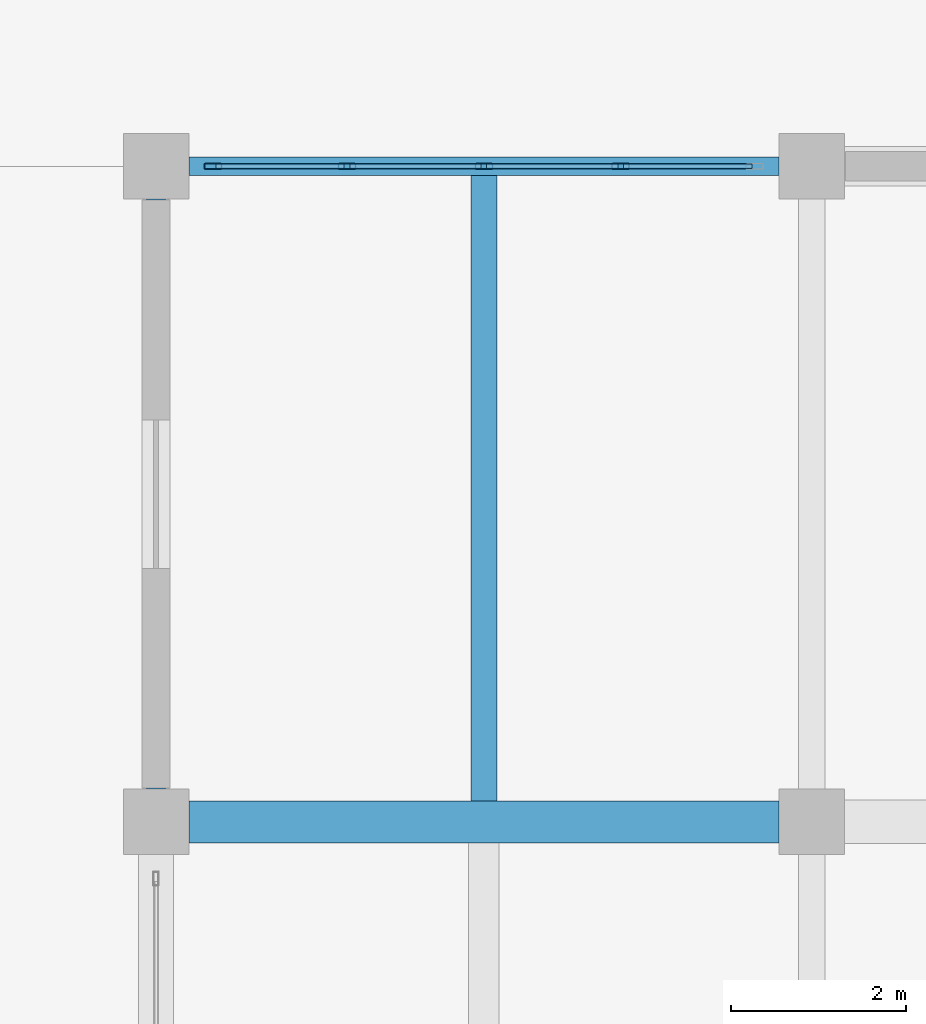
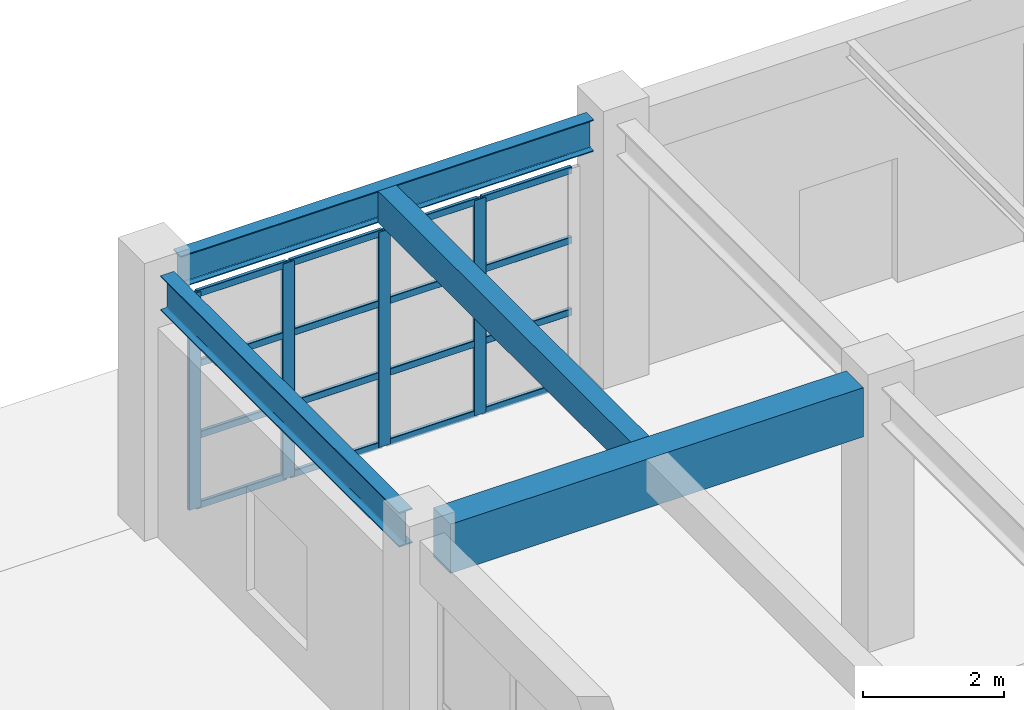
# One storey, part 51 of 122: 20 members, 4 beams, 1 element without a shape of its own.
"""IFC4 building model written with IfcOpenShell, lengths in metres."""

from ifc_helpers import new_model, si_unit, direction, frame, origin, origin_2d, place, context, subcontext, project, spatial, rectangle, hollow_rectangle, i_section, extrude, material, material_profile, profile_set, type_object, element, aggregate, save


model = new_model("IFC4")

# Units and contexts
model_context = context("Model", 3, precision=1e-05, world=origin(), true_north=direction((0.0, 1.0)))
body_context = subcontext(model_context, "Body", "Model", "MODEL_VIEW")
ifc_project = project(units=[si_unit("LENGTHUNIT", "METRE"), si_unit("AREAUNIT", "SQUARE_METRE"), si_unit("VOLUMEUNIT", "CUBIC_METRE"), si_unit("PLANEANGLEUNIT", "RADIAN"), si_unit("MASSUNIT", "GRAM", prefix="KILO")], contexts=[model_context])

# Site, building, storey
site_placement = place(None, origin())
site = spatial("IfcSite", under=ifc_project, at=site_placement, CompositionType="ELEMENT")
building_placement = place(site_placement, origin())
building = spatial("IfcBuilding", under=site, at=building_placement, Name="Qasida Concert Hall", CompositionType="ELEMENT")
storey_placement = place(building_placement, origin())
storey = spatial("IfcBuildingStorey", under=building, at=storey_placement, Name="L00", CompositionType="ELEMENT", Elevation=0.0)

# Beams
ifc_material_1 = material(Name="Concrete C40/50", Category="concrete")
ifc_material_profile_1 = material_profile(ifc_material_1, rectangle(XDim=0.47998046875, YDim=0.85009765625, at=origin_2d()), Name="RC 480x850")
ifc_profile_set_1 = profile_set([ifc_material_profile_1], Name="Concrete C40/50")
beam_type_1 = type_object("IfcBeamType", Name="BM-G6", PredefinedType="USERDEFINED", material=ifc_profile_set_1)
beam_1_placement = place(storey_placement, frame((120.375, 105.0, 4.074951171875), z_axis=(1.0, 0.0, 0.0), x_axis=(0.0, 1.0, 0.0)))
element("IfcBeam", 1, at=beam_1_placement, inside=storey, type_object=beam_type_1, Name="Primary girder 0613", ObjectType="GIRDER", PredefinedType="USERDEFINED", context=body_context, shape_type="SweptSolid", body=[
    extrude(rectangle(XDim=0.47998046875, YDim=0.85009765625, at=origin_2d()), origin(), (0.0, 0.0, 1.0), 6.75),
])
ifc_material_profile_2 = material_profile(ifc_material_1, rectangle(XDim=0.300048828125, YDim=0.550048828125, at=origin_2d()), Name="RC 300x550")
ifc_profile_set_2 = profile_set([ifc_material_profile_2], Name="Concrete C40/50")
beam_type_2 = type_object("IfcBeamType", Name="BM-J1", PredefinedType="JOIST", material=ifc_profile_set_2)
beam_2_placement = place(storey_placement, frame((123.75, 105.239990234375, 4.22509765625), z_axis=(0.0, 1.0, 0.0), x_axis=(-1.0, 0.0, 0.0)))
element("IfcBeam", 2, at=beam_2_placement, inside=storey, type_object=beam_type_2, Name="L00 secondary joist 0664", PredefinedType="JOIST", context=body_context, shape_type="SweptSolid", body=[
    extrude(rectangle(XDim=0.300048828125, YDim=0.550048828125, at=origin_2d()), origin(), (0.0, 0.0, 1.0), 7.155029296875),
])
ifc_material_2 = material(Name="Steel S355J2", Category="steel")
ifc_material_profile_3 = material_profile(ifc_material_2, i_section(OverallWidth=0.2099609375, OverallDepth=0.550048828125, WebThickness=0.010986328125, FlangeThickness=0.01708984375, FilletRadius=0.02392578125, at=origin_2d()), Name="IPE 550")
ifc_profile_set_3 = profile_set([ifc_material_profile_3], Name="Steel S355J2")
beam_type_3 = type_object("IfcBeamType", Name="BM-SP2", PredefinedType="SPANDREL", material=ifc_profile_set_3)
beam_3_placement = place(storey_placement, frame((120.375, 112.5, 4.22509765625), z_axis=(1.0, 0.0, 0.0), x_axis=(0.0, 1.0, 0.0)))
element("IfcBeam", 3, at=beam_3_placement, inside=storey, type_object=beam_type_3, Name="Primary girder 0619", PredefinedType="SPANDREL", context=body_context, shape_type="SweptSolid", body=[
    extrude(i_section(OverallWidth=0.2099609375, OverallDepth=0.550048828125, WebThickness=0.010986328125, FlangeThickness=0.01708984375, FilletRadius=0.02392578125, at=origin_2d()), origin(), (0.0, 0.0, 1.0), 6.75),
])
ifc_material_profile_4 = material_profile(ifc_material_2, i_section(OverallWidth=0.219970703125, OverallDepth=0.60009765625, WebThickness=0.011962890625, FlangeThickness=0.01904296875, FilletRadius=0.02392578125, at=origin_2d()), Name="IPE 600")
ifc_profile_set_4 = profile_set([ifc_material_profile_4], Name="Steel S355J2")
beam_type_4 = type_object("IfcBeamType", Name="BM-SP3", PredefinedType="SPANDREL", material=ifc_profile_set_4)
beam_4_placement = place(storey_placement, frame((120.0, 105.375, 4.199951171875), z_axis=(0.0, 1.0, 0.0), x_axis=(-1.0, 0.0, 0.0)))
element("IfcBeam", 4, at=beam_4_placement, inside=storey, type_object=beam_type_4, Name="L00 girder 0629", PredefinedType="SPANDREL", context=body_context, shape_type="SweptSolid", body=[
    extrude(i_section(OverallWidth=0.219970703125, OverallDepth=0.60009765625, WebThickness=0.011962890625, FlangeThickness=0.01904296875, FilletRadius=0.02392578125, at=origin_2d()), origin(), (0.0, 0.0, 1.0), 6.75),
])

# Curtain wall, members
ifc_material_3 = material(Name="Architectural bronze-anodized aluminium and low-E glass", Category="aluminium")
curtain_wall_type = type_object("IfcCurtainWallType", Name="CW-04", PredefinedType="NOTDEFINED", material=ifc_material_3)
curtain_wall_placement = place(storey_placement, origin())
curtain_wall = element("IfcCurtainWall", 5, at=curtain_wall_placement, inside=storey, type_object=curtain_wall_type, Name="L00 curtain wall CW-04 0152", PredefinedType="NOTDEFINED")
ifc_material_4 = material(Name="Architectural bronze-anodized aluminium EN AW-6063", Category="aluminium")
ifc_material_profile_5 = material_profile(ifc_material_4, hollow_rectangle(XDim=0.06494140625, YDim=0.199951171875, WallThickness=0.0048828125, InnerFilletRadius=0.0048828125, OuterFilletRadius=0.010009765625, at=origin_2d()), Name="CWM 200x65x5")
ifc_profile_set_5 = profile_set([ifc_material_profile_5], Name="Architectural bronze-anodized aluminium EN AW-6063")
member_type_1 = type_object("IfcMemberType", Name="MB-CWM-2", PredefinedType="MULLION", material=ifc_profile_set_5)
member_1_placement = place(storey_placement, frame((120.652587890625, 112.5, 0.0), z_axis=(0.0, 0.0, 1.0), x_axis=(0.0, 1.0, 0.0)))
member_1 = element("IfcMember", 6, at=member_1_placement, type_object=member_type_1, Name="CW-04 mullion 1", PredefinedType="MULLION", context=body_context, shape_type="SweptSolid", body=[
    extrude(hollow_rectangle(XDim=0.06494140625, YDim=0.199951171875, WallThickness=0.0048828125, InnerFilletRadius=0.0048828125, OuterFilletRadius=0.010009765625, at=origin_2d()), origin(), (0.0, 0.0, 1.0), 3.719970703125),
])
member_2_placement = place(storey_placement, frame((122.18505859375, 112.5, 0.0), z_axis=(0.0, 0.0, 1.0), x_axis=(0.0, 1.0, 0.0)))
member_2 = element("IfcMember", 7, at=member_2_placement, type_object=member_type_1, Name="CW-04 mullion 2", PredefinedType="MULLION", context=body_context, shape_type="SweptSolid", body=[
    extrude(hollow_rectangle(XDim=0.06494140625, YDim=0.199951171875, WallThickness=0.0048828125, InnerFilletRadius=0.0048828125, OuterFilletRadius=0.010009765625, at=origin_2d()), origin(), (0.0, 0.0, 1.0), 3.719970703125),
])
member_3_placement = place(storey_placement, frame((123.75, 112.5, 0.0), z_axis=(0.0, 0.0, 1.0), x_axis=(0.0, 1.0, 0.0)))
member_3 = element("IfcMember", 8, at=member_3_placement, type_object=member_type_1, Name="CW-04 mullion 3", PredefinedType="MULLION", context=body_context, shape_type="SweptSolid", body=[
    extrude(hollow_rectangle(XDim=0.06494140625, YDim=0.199951171875, WallThickness=0.0048828125, InnerFilletRadius=0.0048828125, OuterFilletRadius=0.010009765625, at=origin_2d()), origin(), (0.0, 0.0, 1.0), 3.719970703125),
])
member_4_placement = place(storey_placement, frame((125.31494140625, 112.5, 0.0), z_axis=(0.0, 0.0, 1.0), x_axis=(0.0, 1.0, 0.0)))
member_4 = element("IfcMember", 9, at=member_4_placement, type_object=member_type_1, Name="CW-04 mullion 4", PredefinedType="MULLION", context=body_context, shape_type="SweptSolid", body=[
    extrude(hollow_rectangle(XDim=0.06494140625, YDim=0.199951171875, WallThickness=0.0048828125, InnerFilletRadius=0.0048828125, OuterFilletRadius=0.010009765625, at=origin_2d()), origin(), (0.0, 0.0, 1.0), 3.719970703125),
])
ifc_material_profile_6 = material_profile(ifc_material_4, hollow_rectangle(XDim=0.06005859375, YDim=0.1201171875, WallThickness=0.00390625, InnerFilletRadius=0.00390625, OuterFilletRadius=0.008056640625, at=origin_2d()), Name="CWT 120x60x4")
ifc_profile_set_6 = profile_set([ifc_material_profile_6], Name="Architectural bronze-anodized aluminium EN AW-6063")
member_type_2 = type_object("IfcMemberType", Name="MB-CWT-2", PredefinedType="USERDEFINED", material=ifc_profile_set_6)
member_5_placement = place(storey_placement, frame((120.68505859375, 112.5, 0.030029296875), z_axis=(1.0, 0.0, 0.0), x_axis=(0.0, 1.0, 0.0)))
member_5 = element("IfcMember", 10, at=member_5_placement, type_object=member_type_2, Name="CW-04 transom 1.1", ObjectType="TRANSOM", PredefinedType="USERDEFINED", context=body_context, shape_type="SweptSolid", body=[
    extrude(hollow_rectangle(XDim=0.06005859375, YDim=0.1201171875, WallThickness=0.00390625, InnerFilletRadius=0.00390625, OuterFilletRadius=0.008056640625, at=origin_2d()), origin(), (0.0, 0.0, 1.0), 1.467529296875),
])
member_6_placement = place(storey_placement, frame((120.68505859375, 112.5, 1.239990234375), z_axis=(1.0, 0.0, 0.0), x_axis=(0.0, 1.0, 0.0)))
member_6 = element("IfcMember", 11, at=member_6_placement, type_object=member_type_2, Name="CW-04 transom 1.2", ObjectType="TRANSOM", PredefinedType="USERDEFINED", context=body_context, shape_type="SweptSolid", body=[
    extrude(hollow_rectangle(XDim=0.06005859375, YDim=0.1201171875, WallThickness=0.00390625, InnerFilletRadius=0.00390625, OuterFilletRadius=0.008056640625, at=origin_2d()), origin(), (0.0, 0.0, 1.0), 1.467529296875),
])
member_7_placement = place(storey_placement, frame((120.68505859375, 112.5, 2.47998046875), z_axis=(1.0, 0.0, 0.0), x_axis=(0.0, 1.0, 0.0)))
member_7 = element("IfcMember", 12, at=member_7_placement, type_object=member_type_2, Name="CW-04 transom 1.3", ObjectType="TRANSOM", PredefinedType="USERDEFINED", context=body_context, shape_type="SweptSolid", body=[
    extrude(hollow_rectangle(XDim=0.06005859375, YDim=0.1201171875, WallThickness=0.00390625, InnerFilletRadius=0.00390625, OuterFilletRadius=0.008056640625, at=origin_2d()), origin(), (0.0, 0.0, 1.0), 1.467529296875),
])
member_8_placement = place(storey_placement, frame((120.68505859375, 112.5, 3.68994140625), z_axis=(1.0, 0.0, 0.0), x_axis=(0.0, 1.0, 0.0)))
member_8 = element("IfcMember", 13, at=member_8_placement, type_object=member_type_2, Name="CW-04 transom 1.4", ObjectType="TRANSOM", PredefinedType="USERDEFINED", context=body_context, shape_type="SweptSolid", body=[
    extrude(hollow_rectangle(XDim=0.06005859375, YDim=0.1201171875, WallThickness=0.00390625, InnerFilletRadius=0.00390625, OuterFilletRadius=0.008056640625, at=origin_2d()), origin(), (0.0, 0.0, 1.0), 1.467529296875),
])
member_9_placement = place(storey_placement, frame((122.217529296875, 112.5, 0.030029296875), z_axis=(1.0, 0.0, 0.0), x_axis=(0.0, 1.0, 0.0)))
member_9 = element("IfcMember", 14, at=member_9_placement, type_object=member_type_2, Name="CW-04 transom 2.1", ObjectType="TRANSOM", PredefinedType="USERDEFINED", context=body_context, shape_type="SweptSolid", body=[
    extrude(hollow_rectangle(XDim=0.06005859375, YDim=0.1201171875, WallThickness=0.00390625, InnerFilletRadius=0.00390625, OuterFilletRadius=0.008056640625, at=origin_2d()), origin(), (0.0, 0.0, 1.0), 1.5),
])
member_10_placement = place(storey_placement, frame((122.217529296875, 112.5, 1.239990234375), z_axis=(1.0, 0.0, 0.0), x_axis=(0.0, 1.0, 0.0)))
member_10 = element("IfcMember", 15, at=member_10_placement, type_object=member_type_2, Name="CW-04 transom 2.2", ObjectType="TRANSOM", PredefinedType="USERDEFINED", context=body_context, shape_type="SweptSolid", body=[
    extrude(hollow_rectangle(XDim=0.06005859375, YDim=0.1201171875, WallThickness=0.00390625, InnerFilletRadius=0.00390625, OuterFilletRadius=0.008056640625, at=origin_2d()), origin(), (0.0, 0.0, 1.0), 1.5),
])
member_11_placement = place(storey_placement, frame((122.217529296875, 112.5, 2.47998046875), z_axis=(1.0, 0.0, 0.0), x_axis=(0.0, 1.0, 0.0)))
member_11 = element("IfcMember", 16, at=member_11_placement, type_object=member_type_2, Name="CW-04 transom 2.3", ObjectType="TRANSOM", PredefinedType="USERDEFINED", context=body_context, shape_type="SweptSolid", body=[
    extrude(hollow_rectangle(XDim=0.06005859375, YDim=0.1201171875, WallThickness=0.00390625, InnerFilletRadius=0.00390625, OuterFilletRadius=0.008056640625, at=origin_2d()), origin(), (0.0, 0.0, 1.0), 1.5),
])
member_12_placement = place(storey_placement, frame((122.217529296875, 112.5, 3.68994140625), z_axis=(1.0, 0.0, 0.0), x_axis=(0.0, 1.0, 0.0)))
member_12 = element("IfcMember", 17, at=member_12_placement, type_object=member_type_2, Name="CW-04 transom 2.4", ObjectType="TRANSOM", PredefinedType="USERDEFINED", context=body_context, shape_type="SweptSolid", body=[
    extrude(hollow_rectangle(XDim=0.06005859375, YDim=0.1201171875, WallThickness=0.00390625, InnerFilletRadius=0.00390625, OuterFilletRadius=0.008056640625, at=origin_2d()), origin(), (0.0, 0.0, 1.0), 1.5),
])
member_13_placement = place(storey_placement, frame((123.782470703125, 112.5, 0.030029296875), z_axis=(1.0, 0.0, 0.0), x_axis=(0.0, 1.0, 0.0)))
member_13 = element("IfcMember", 18, at=member_13_placement, type_object=member_type_2, Name="CW-04 transom 3.1", ObjectType="TRANSOM", PredefinedType="USERDEFINED", context=body_context, shape_type="SweptSolid", body=[
    extrude(hollow_rectangle(XDim=0.06005859375, YDim=0.1201171875, WallThickness=0.00390625, InnerFilletRadius=0.00390625, OuterFilletRadius=0.008056640625, at=origin_2d()), origin(), (0.0, 0.0, 1.0), 1.5),
])
member_14_placement = place(storey_placement, frame((123.782470703125, 112.5, 1.239990234375), z_axis=(1.0, 0.0, 0.0), x_axis=(0.0, 1.0, 0.0)))
member_14 = element("IfcMember", 19, at=member_14_placement, type_object=member_type_2, Name="CW-04 transom 3.2", ObjectType="TRANSOM", PredefinedType="USERDEFINED", context=body_context, shape_type="SweptSolid", body=[
    extrude(hollow_rectangle(XDim=0.06005859375, YDim=0.1201171875, WallThickness=0.00390625, InnerFilletRadius=0.00390625, OuterFilletRadius=0.008056640625, at=origin_2d()), origin(), (0.0, 0.0, 1.0), 1.5),
])
member_15_placement = place(storey_placement, frame((123.782470703125, 112.5, 2.47998046875), z_axis=(1.0, 0.0, 0.0), x_axis=(0.0, 1.0, 0.0)))
member_15 = element("IfcMember", 20, at=member_15_placement, type_object=member_type_2, Name="CW-04 transom 3.3", ObjectType="TRANSOM", PredefinedType="USERDEFINED", context=body_context, shape_type="SweptSolid", body=[
    extrude(hollow_rectangle(XDim=0.06005859375, YDim=0.1201171875, WallThickness=0.00390625, InnerFilletRadius=0.00390625, OuterFilletRadius=0.008056640625, at=origin_2d()), origin(), (0.0, 0.0, 1.0), 1.5),
])
member_16_placement = place(storey_placement, frame((123.782470703125, 112.5, 3.68994140625), z_axis=(1.0, 0.0, 0.0), x_axis=(0.0, 1.0, 0.0)))
member_16 = element("IfcMember", 21, at=member_16_placement, type_object=member_type_2, Name="CW-04 transom 3.4", ObjectType="TRANSOM", PredefinedType="USERDEFINED", context=body_context, shape_type="SweptSolid", body=[
    extrude(hollow_rectangle(XDim=0.06005859375, YDim=0.1201171875, WallThickness=0.00390625, InnerFilletRadius=0.00390625, OuterFilletRadius=0.008056640625, at=origin_2d()), origin(), (0.0, 0.0, 1.0), 1.5),
])
member_17_placement = place(storey_placement, frame((125.347412109375, 112.5, 0.030029296875), z_axis=(1.0, 0.0, 0.0), x_axis=(0.0, 1.0, 0.0)))
member_17 = element("IfcMember", 22, at=member_17_placement, type_object=member_type_2, Name="CW-04 transom 4.1", ObjectType="TRANSOM", PredefinedType="USERDEFINED", context=body_context, shape_type="SweptSolid", body=[
    extrude(hollow_rectangle(XDim=0.06005859375, YDim=0.1201171875, WallThickness=0.00390625, InnerFilletRadius=0.00390625, OuterFilletRadius=0.008056640625, at=origin_2d()), origin(), (0.0, 0.0, 1.0), 1.467529296875),
])
member_18_placement = place(storey_placement, frame((125.347412109375, 112.5, 1.239990234375), z_axis=(1.0, 0.0, 0.0), x_axis=(0.0, 1.0, 0.0)))
member_18 = element("IfcMember", 23, at=member_18_placement, type_object=member_type_2, Name="CW-04 transom 4.2", ObjectType="TRANSOM", PredefinedType="USERDEFINED", context=body_context, shape_type="SweptSolid", body=[
    extrude(hollow_rectangle(XDim=0.06005859375, YDim=0.1201171875, WallThickness=0.00390625, InnerFilletRadius=0.00390625, OuterFilletRadius=0.008056640625, at=origin_2d()), origin(), (0.0, 0.0, 1.0), 1.467529296875),
])
member_19_placement = place(storey_placement, frame((125.347412109375, 112.5, 2.47998046875), z_axis=(1.0, 0.0, 0.0), x_axis=(0.0, 1.0, 0.0)))
member_19 = element("IfcMember", 24, at=member_19_placement, type_object=member_type_2, Name="CW-04 transom 4.3", ObjectType="TRANSOM", PredefinedType="USERDEFINED", context=body_context, shape_type="SweptSolid", body=[
    extrude(hollow_rectangle(XDim=0.06005859375, YDim=0.1201171875, WallThickness=0.00390625, InnerFilletRadius=0.00390625, OuterFilletRadius=0.008056640625, at=origin_2d()), origin(), (0.0, 0.0, 1.0), 1.467529296875),
])
member_20_placement = place(storey_placement, frame((125.347412109375, 112.5, 3.68994140625), z_axis=(1.0, 0.0, 0.0), x_axis=(0.0, 1.0, 0.0)))
member_20 = element("IfcMember", 25, at=member_20_placement, type_object=member_type_2, Name="CW-04 transom 4.4", ObjectType="TRANSOM", PredefinedType="USERDEFINED", context=body_context, shape_type="SweptSolid", body=[
    extrude(hollow_rectangle(XDim=0.06005859375, YDim=0.1201171875, WallThickness=0.00390625, InnerFilletRadius=0.00390625, OuterFilletRadius=0.008056640625, at=origin_2d()), origin(), (0.0, 0.0, 1.0), 1.467529296875),
])
aggregate(curtain_wall, [member_1, member_2, member_3, member_4, member_5, member_6, member_7, member_8, member_9, member_10, member_11, member_12, member_13, member_14, member_15, member_16, member_17, member_18, member_19, member_20])

save(model, "model.ifc")
